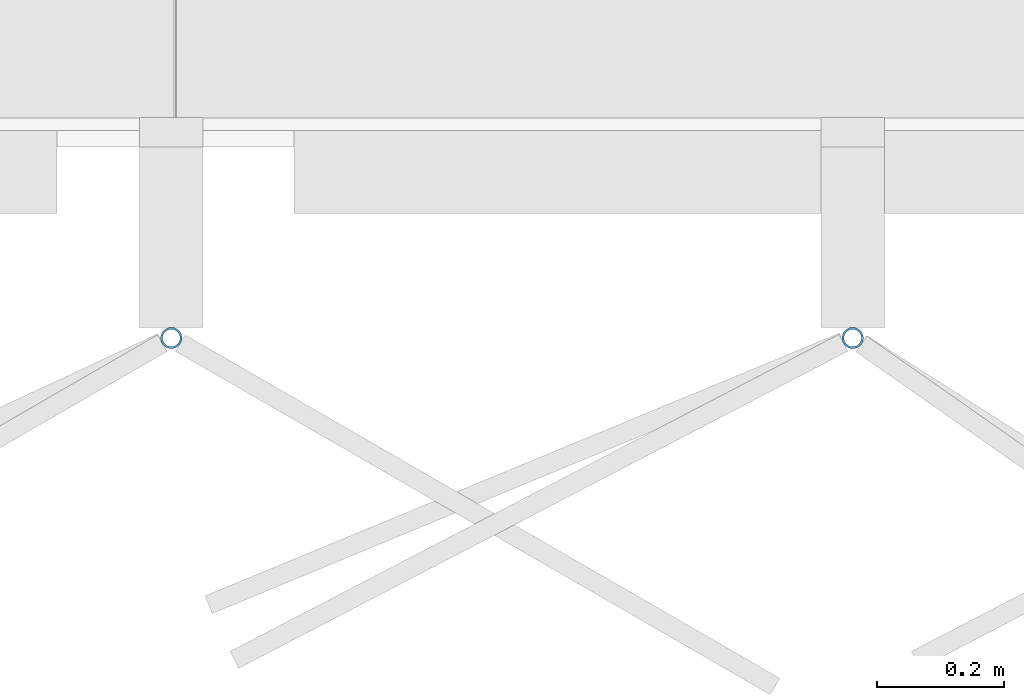
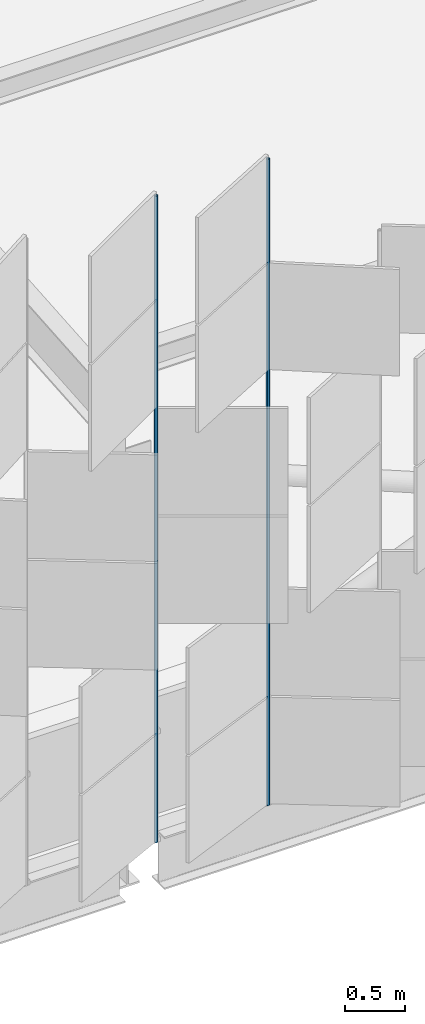
# One storey, part 220 of 483: 2 discrete accessories.
"""IFC4 building model written with IfcOpenShell, lengths in metres."""

from ifc_helpers import new_model, si_unit, direction, frame, origin, origin_2d, place, context, subcontext, project, spatial, hollow_circle, extrude, material, material_profile, profile_set, type_object, element, save


model = new_model("IFC4")

# Units and contexts
model_context = context("Model", 3, precision=1e-05, world=origin(), true_north=direction((0.0, 1.0)))
body_context = subcontext(model_context, "Body", "Model", "MODEL_VIEW")
ifc_project = project(units=[si_unit("LENGTHUNIT", "METRE"), si_unit("AREAUNIT", "SQUARE_METRE"), si_unit("VOLUMEUNIT", "CUBIC_METRE"), si_unit("PLANEANGLEUNIT", "RADIAN"), si_unit("MASSUNIT", "GRAM", prefix="KILO")], contexts=[model_context])

# Site, building, storey
site_placement = place(None, origin())
site = spatial("IfcSite", under=ifc_project, at=site_placement, CompositionType="ELEMENT")
building_placement = place(site_placement, origin())
building = spatial("IfcBuilding", under=site, at=building_placement, Name="Parallax Yard Mobility Hub", CompositionType="ELEMENT")
storey_placement = place(building_placement, frame((0.0, 0.0, 13.199951171875)))
storey = spatial("IfcBuildingStorey", under=building, at=storey_placement, Name="L04", CompositionType="ELEMENT", Elevation=13.199951171875)

# Discrete accessories
ifc_material = material(Name="Steel ASTM A500 Gr C, hot-dip galvanised", Category="steel")
ifc_material_profile = material_profile(ifc_material, hollow_circle(Radius=0.016845703125, WallThickness=0.003173828125, at=origin_2d()), Name="CHS 33.7x3.2")
ifc_profile_set = profile_set([ifc_material_profile], Name="Steel ASTM A500 Gr C, hot-dip galvanised")
discrete_accessory_type = type_object("IfcDiscreteAccessoryType", Name="Hinge post CHS 33.7x3.2", PredefinedType="BRACKET", material=ifc_profile_set)
for number, where, z_axis, x_axis, name in (
    (1, (149.993408203125, 112.199951171875, 0.0), (0.0, 0.0, 1.0), (1.0, 0.0, 0.0), "Hinge post bay 15.1 level L04"),
    (2, (151.06494140625, 112.199951171875, 0.0), (0.0, 0.0, 1.0), (1.0, 0.0, 0.0), "Hinge post bay 15.2 level L04"),
):
    element("IfcDiscreteAccessory", number, at=place(storey_placement, frame(where, z_axis=z_axis, x_axis=x_axis)), inside=storey, type_object=discrete_accessory_type, Name=name, PredefinedType="BRACKET", context=body_context, shape_type="SweptSolid", body=[
        extrude(hollow_circle(Radius=0.016845703125, WallThickness=0.003173828125, at=origin_2d()), origin(), (0.0, 0.0, 1.0), 6.550048828125),
    ])

save(model, "model.ifc")
